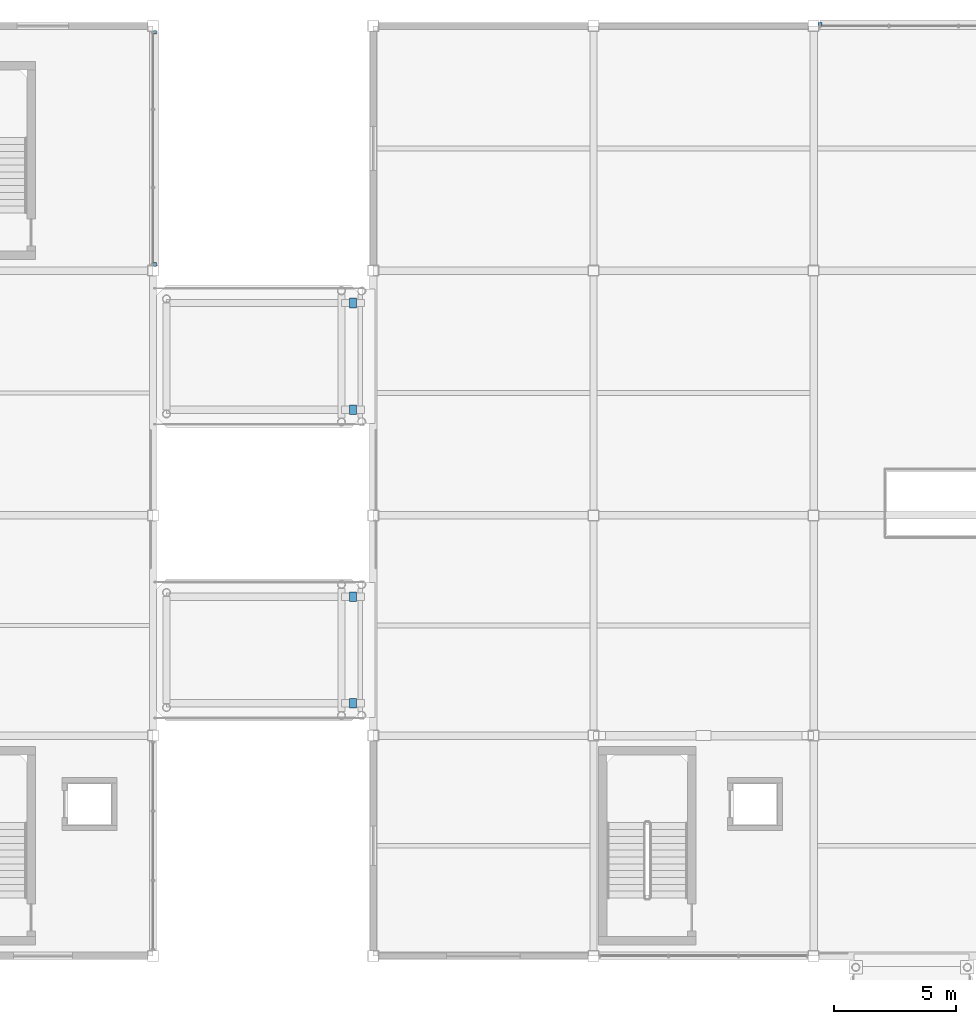
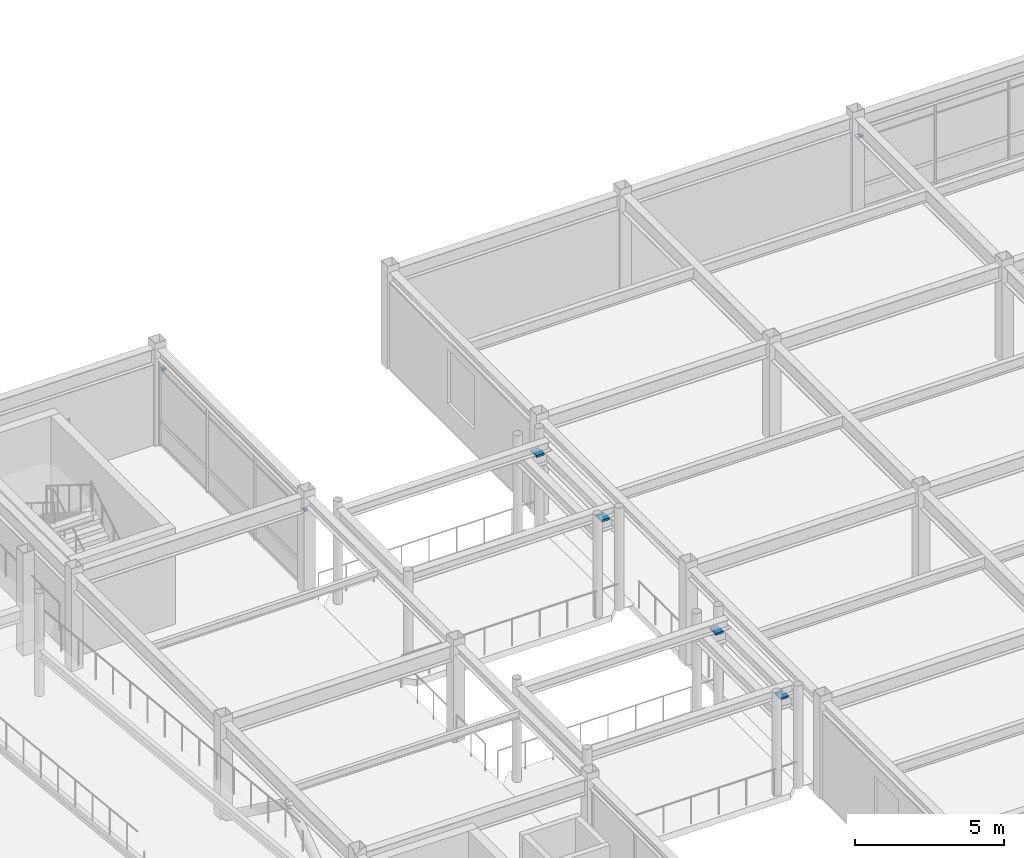
# One storey, part 83 of 105: 7 discrete accessories.
"""IFC4 building model written with IfcOpenShell, lengths in metres."""

from ifc_helpers import new_model, si_unit, direction, frame, origin, origin_2d, place, context, subcontext, project, spatial, rectangle, extrude, material, type_object, element, save


model = new_model("IFC4")

# Units and contexts
model_context = context("Model", 3, precision=1e-05, world=origin(), true_north=direction((0.0, 1.0)))
body_context = subcontext(model_context, "Body", "Model", "MODEL_VIEW")
ifc_project = project(units=[si_unit("LENGTHUNIT", "METRE"), si_unit("AREAUNIT", "SQUARE_METRE"), si_unit("VOLUMEUNIT", "CUBIC_METRE"), si_unit("PLANEANGLEUNIT", "RADIAN"), si_unit("MASSUNIT", "GRAM", prefix="KILO")], contexts=[model_context])

# Site, building, storey
site_placement = place(None, origin())
site = spatial("IfcSite", under=ifc_project, at=site_placement, CompositionType="ELEMENT")
building_placement = place(site_placement, origin())
building = spatial("IfcBuilding", under=site, at=building_placement, Name="Suzunagisa Mobility Hub", CompositionType="ELEMENT")
storey_placement = place(building_placement, frame((0.0, 0.0, 5.10009765625)))
storey = spatial("IfcBuildingStorey", under=building, at=storey_placement, Name="L01", CompositionType="ELEMENT", Elevation=5.10009765625)

# Discrete accessories
ifc_material_1 = material(Name="Stainless Steel SUS316", Category="metal")
discrete_accessory_type_1 = type_object("IfcDiscreteAccessoryType", Name="Stainless Sunshade Outrigger Bracket BRK-01", PredefinedType="BRACKET", material=ifc_material_1)
for number, where, z_axis, x_axis, name in (
    (1, (36.0849609375, 108.2548828125, 3.059814453125), (0.0, 0.0, 1.0), (0.0, 1.0, 0.0), "Sunshade Outrigger Bracket BRK-13.1"),
    (2, (36.0849609375, 117.7451171875, 3.059814453125), (0.0, 0.0, 1.0), (0.0, 1.0, 0.0), "Sunshade Outrigger Bracket BRK-13.2"),
    (3, (63.2548828125, 118.0849609375, 2.86181640625), (0.0, 0.0, 1.0), (-1.0, 0.0, 0.0), "Sunshade Outrigger Bracket BRK-21.2"),
):
    element("IfcDiscreteAccessory", number, at=place(storey_placement, frame(where, z_axis=z_axis, x_axis=x_axis)), inside=storey, type_object=discrete_accessory_type_1, Name=name, PredefinedType="BRACKET", context=body_context, shape_type="SweptSolid", body=[
        extrude(rectangle(XDim=0.159912109375, YDim=0.1201171875, at=origin_2d()), origin(), (0.0, 0.0, 1.0), 0.080078125),
    ])
ifc_material_2 = material(Name="PTFE Elastomeric Bearing Assembly")
discrete_accessory_type_2 = type_object("IfcDiscreteAccessoryType", Name="Unguided PTFE Sliding Bearing SBG-01", PredefinedType="SHOE", material=ifc_material_2)
for number, where, z_axis, x_axis, name in (
    (4, (44.175048828125, 90.320068359375, 3.509765625), (0.0, 0.0, 1.0), (1.0, 0.0, 0.0), "Skybridge PTFE Sliding Bearing VRL-L02-S-A"),
    (5, (44.175048828125, 94.679931640625, 3.509765625), (0.0, 0.0, 1.0), (1.0, 0.0, 0.0), "Skybridge PTFE Sliding Bearing VRL-L02-S-B"),
    (6, (44.175048828125, 102.320068359375, 3.509765625), (0.0, 0.0, 1.0), (1.0, 0.0, 0.0), "Skybridge PTFE Sliding Bearing VRL-L02-N-A"),
    (7, (44.175048828125, 106.679931640625, 3.509765625), (0.0, 0.0, 1.0), (1.0, 0.0, 0.0), "Skybridge PTFE Sliding Bearing VRL-L02-N-B"),
):
    element("IfcDiscreteAccessory", number, at=place(storey_placement, frame(where, z_axis=z_axis, x_axis=x_axis)), inside=storey, type_object=discrete_accessory_type_2, Name=name, PredefinedType="SHOE", context=body_context, shape_type="SweptSolid", body=[
        extrude(rectangle(XDim=0.300048828125, YDim=0.39990234375, at=origin_2d()), origin(), (0.0, 0.0, 1.0), 0.080078125),
    ])

save(model, "model.ifc")
